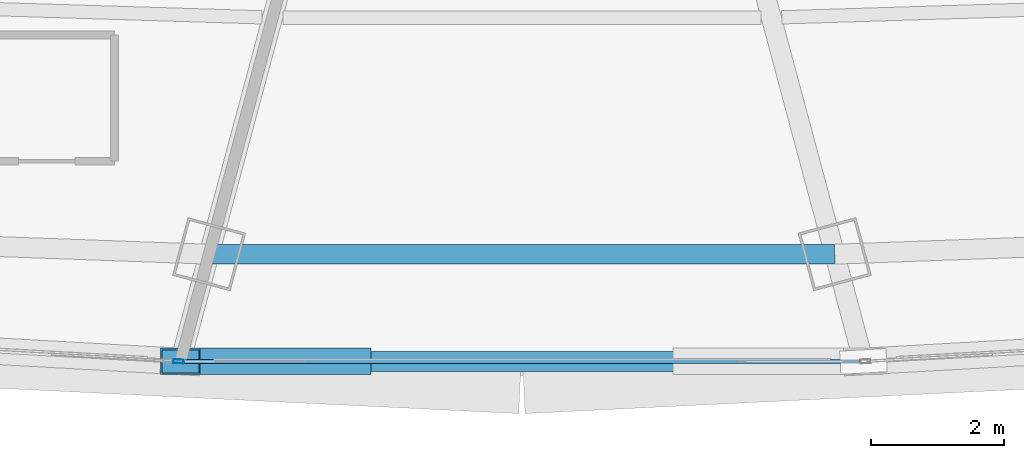
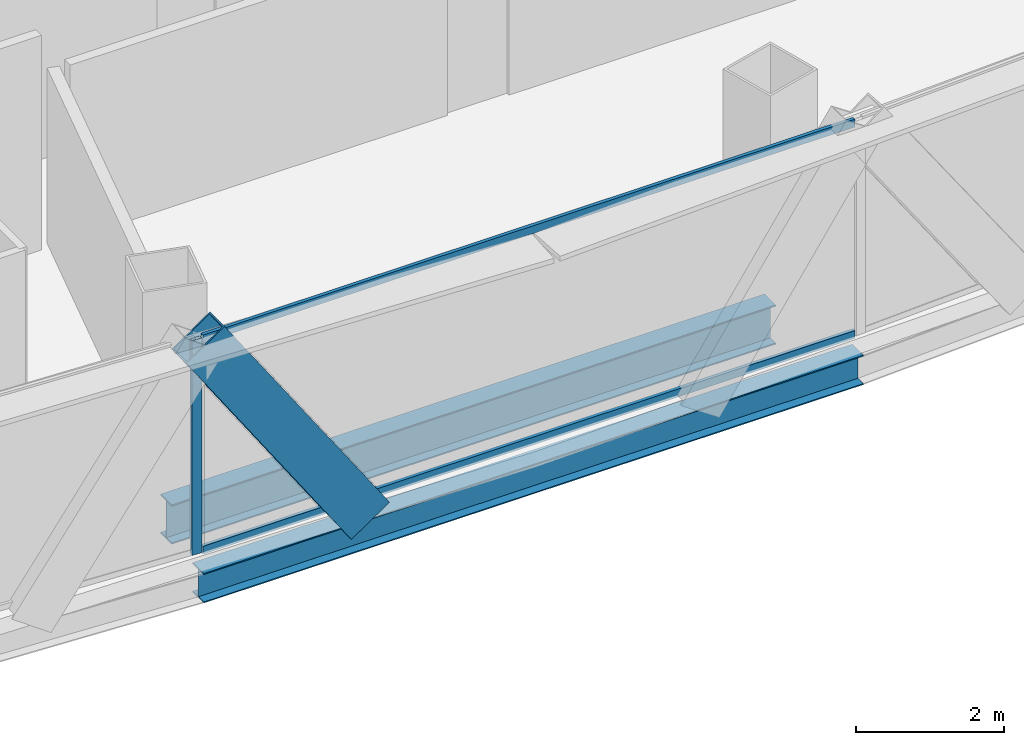
# One storey, part 10 of 38: 4 members, 2 beams, 2 elements without a shape of their own.
"""IFC4 building model written with IfcOpenShell, lengths in metres."""

from ifc_helpers import new_model, si_unit, direction, frame, origin, origin_2d, place, context, subcontext, project, spatial, hollow_rectangle, i_section, extrude, source, transform, mapped, material, layer, layer_set, material_profile, profile_set, type_object, element, aggregate, save


model = new_model("IFC4")

# Units and contexts
model_context = context("Model", 3, precision=1e-05, world=origin(), true_north=direction((0.0, 1.0)))
body_context = subcontext(model_context, "Body", "Model", "MODEL_VIEW")
ifc_project = project(units=[si_unit("LENGTHUNIT", "METRE"), si_unit("AREAUNIT", "SQUARE_METRE"), si_unit("VOLUMEUNIT", "CUBIC_METRE"), si_unit("PLANEANGLEUNIT", "RADIAN"), si_unit("MASSUNIT", "GRAM", prefix="KILO"), si_unit("THERMODYNAMICTEMPERATUREUNIT", "KELVIN"), si_unit("POWERUNIT", "WATT")], contexts=[model_context])

# Site, building, storey
site_placement = place(None, origin())
site = spatial("IfcSite", under=ifc_project, at=site_placement, CompositionType="ELEMENT")
building_placement = place(site_placement, origin())
building = spatial("IfcBuilding", under=site, at=building_placement, Name="Yunzhuo Pagoda Commons", CompositionType="ELEMENT")
storey_placement = place(building_placement, frame((0.0, 0.0, 203.760009765625)))
storey = spatial("IfcBuildingStorey", under=building, at=storey_placement, Name="L51", CompositionType="ELEMENT", Elevation=203.760009765625)

# Beams
ifc_material_1 = material(Name="Structural steel Q355B", Category="steel")
ifc_material_profile_1 = material_profile(ifc_material_1, i_section(OverallWidth=0.300048828125, OverallDepth=0.64990234375, WebThickness=0.012939453125, FlangeThickness=0.02197265625, at=origin_2d()), Name="Structural steel Q355B")
ifc_profile_set_1 = profile_set([ifc_material_profile_1], Name="Structural steel Q355B")
beam_type_1 = type_object("IfcBeamType", Name="B-RG2 Beam HN 650x300x13x22", PredefinedType="BEAM", material=ifc_profile_set_1)
shared_shape_1 = source(origin(), body_context, "Body", "SweptSolid", [
    extrude(i_section(OverallWidth=0.300048828125, OverallDepth=0.64990234375, WebThickness=0.012939453125, FlangeThickness=0.02197265625, at=origin_2d()), origin(), (0.0, 0.0, 1.0), 9.42529296875),
])
beam_1_placement = place(storey_placement, frame((43.28759765625, 16.1123046875, -0.5849609375), z_axis=(1.0, 0.0, 0.0), x_axis=(0.0, 1.0, 0.0)))
element("IfcBeam", 1, at=beam_1_placement, inside=storey, type_object=beam_type_1, Name="L51 column-ring beam 2", PredefinedType="BEAM", context=body_context, shape_type="MappedRepresentation", body=[
    mapped(shared_shape_1, transform((0.0, 0.0, 0.0), scale=1.0)),
])
ifc_material_profile_2 = material_profile(ifc_material_1, i_section(OverallWidth=0.300048828125, OverallDepth=0.488037109375, WebThickness=0.010986328125, FlangeThickness=0.01806640625, at=origin_2d()), Name="Structural steel Q355B")
ifc_profile_set_2 = profile_set([ifc_material_profile_2], Name="Structural steel Q355B")
beam_type_2 = type_object("IfcBeamType", Name="B-SP1 Beam HM 488x300x11x18", PredefinedType="BEAM", material=ifc_profile_set_2)
shared_shape_2 = source(origin(), body_context, "Body", "SweptSolid", [
    extrude(i_section(OverallWidth=0.300048828125, OverallDepth=0.488037109375, WebThickness=0.010986328125, FlangeThickness=0.01806640625, at=origin_2d()), origin(), (0.0, 0.0, 1.0), 10.291015625),
])
beam_2_placement = place(storey_placement, frame((42.8544921875, 14.496826171875, -0.503662109375), z_axis=(1.0, 0.0, 0.0), x_axis=(0.0, 1.0, 0.0)))
element("IfcBeam", 2, at=beam_2_placement, inside=storey, type_object=beam_type_2, Name="L51 facade edge spandrel beam F1.2", PredefinedType="BEAM", context=body_context, shape_type="MappedRepresentation", body=[
    mapped(shared_shape_2, transform((0.0, 0.0, 0.0), scale=1.0)),
])

# Member
ifc_material_profile_3 = material_profile(ifc_material_1, hollow_rectangle(XDim=0.39990234375, YDim=0.719970703125, WallThickness=0.02392578125, at=origin_2d()), Name="Structural steel Q355B")
ifc_profile_set_3 = profile_set([ifc_material_profile_3], Name="Structural steel Q355B")
member_type_1 = type_object("IfcMemberType", Name="M-DL2 Brace BOX 720x400x24", PredefinedType="BRACE", material=ifc_profile_set_3)
shared_shape_3 = source(origin(), body_context, "Body", "SweptSolid", [
    extrude(hollow_rectangle(XDim=0.39990234375, YDim=0.719970703125, WallThickness=0.02392578125, at=origin_2d()), origin(), (0.0, 0.0, 1.0), 4.589111328125),
])
member_1_placement = place(storey_placement, frame((45.42724609375, 14.496826171875, -0.260009765625), z_axis=(-0.560628151048, 0.0, 0.828067676131), x_axis=(0.0, -1.0, 0.0)))
element("IfcMember", 3, at=member_1_placement, inside=storey, type_object=member_type_1, Name="L51 facade diamond brace F1.2L", PredefinedType="BRACE", context=body_context, shape_type="MappedRepresentation", body=[
    mapped(shared_shape_3, transform((0.0, 0.0, 0.0), scale=1.0)),
])

# Curtain wall, member
ifc_material_2 = material(Name="Anodized aluminium 6063-T6", Category="aluminium")
ifc_layer = layer(ifc_material_2, 0.14990234375)
ifc_layer_set = layer_set([ifc_layer], Name="Anodized aluminium 6063-T6")
curtain_wall_type = type_object("IfcCurtainWallType", Name="CW-MID Mid-Zone Ribbon Curtain Wall", PredefinedType="NOTDEFINED", material=ifc_layer_set)
curtain_wall_1_placement = place(storey_placement, origin())
curtain_wall_1 = element("IfcCurtainWall", 4, at=curtain_wall_1_placement, inside=storey, type_object=curtain_wall_type, Name="L51 curtain wall CW-L51-F1B2", PredefinedType="NOTDEFINED")
ifc_material_profile_4 = material_profile(ifc_material_2, hollow_rectangle(XDim=0.06005859375, YDim=0.14990234375, WallThickness=0.00390625, at=origin_2d()), Name="Anodized aluminium 6063-T6")
ifc_profile_set_4 = profile_set([ifc_material_profile_4], Name="Anodized aluminium 6063-T6")
member_type_2 = type_object("IfcMemberType", Name="CW-MID-M Mullion RHS 150x60x4", PredefinedType="MULLION", material=ifc_profile_set_4)
shared_shape_4 = source(origin(), body_context, "Body", "SweptSolid", [
    extrude(hollow_rectangle(XDim=0.06005859375, YDim=0.14990234375, WallThickness=0.00390625, at=origin_2d()), origin(), (0.0, 0.0, 1.0), 3.5400390625),
])
member_2_placement = place(storey_placement, frame((42.824462890625, 14.49853515625, 0.0), z_axis=(0.0, 0.0, 1.0), x_axis=(0.055819443993, 0.998440879408, 0.0)))
member_2 = element("IfcMember", 5, at=member_2_placement, type_object=member_type_2, Name="CW mullion 2", PredefinedType="MULLION", context=body_context, shape_type="MappedRepresentation", body=[
    mapped(shared_shape_4, transform((0.0, 0.0, 0.0), scale=1.0)),
])
aggregate(curtain_wall_1, [member_2])

# Curtain wall, members
curtain_wall_2_placement = place(storey_placement, origin())
curtain_wall_2 = element("IfcCurtainWall", 6, at=curtain_wall_2_placement, inside=storey, type_object=curtain_wall_type, Name="L51 curtain wall CW-L51-F1B3", PredefinedType="NOTDEFINED")
ifc_material_profile_5 = material_profile(ifc_material_2, hollow_rectangle(XDim=0.054931640625, YDim=0.1298828125, WallThickness=0.00341796875, at=origin_2d()), Name="Anodized aluminium 6063-T6")
ifc_profile_set_5 = profile_set([ifc_material_profile_5], Name="Anodized aluminium 6063-T6")
member_type_3 = type_object("IfcMemberType", Name="CW-MID-T Transom RHS 130x55x3.5", PredefinedType="USERDEFINED", material=ifc_profile_set_5)
shared_shape_5 = source(origin(), body_context, "Body", "SweptSolid", [
    extrude(hollow_rectangle(XDim=0.054931640625, YDim=0.1298828125, WallThickness=0.00341796875, at=origin_2d()), origin(), (0.0, 0.0, 1.0), 10.1708984375),
])
member_3_placement = place(storey_placement, frame((42.91455078125, 14.496826171875, 0.027587890625), z_axis=(1.0, 0.0, 0.0), x_axis=(0.0, 1.0, 0.0)))
member_3 = element("IfcMember", 7, at=member_3_placement, type_object=member_type_3, Name="CW transom 1.1", ObjectType="TRANSOM", PredefinedType="USERDEFINED", context=body_context, shape_type="MappedRepresentation", body=[
    mapped(shared_shape_5, transform((0.0, 0.0, 0.0), scale=1.0)),
])
member_4_placement = place(storey_placement, frame((42.91455078125, 14.496826171875, 3.512451171875), z_axis=(1.0, 0.0, 0.0), x_axis=(0.0, 1.0, 0.0)))
member_4 = element("IfcMember", 8, at=member_4_placement, type_object=member_type_3, Name="CW transom 1.2", ObjectType="TRANSOM", PredefinedType="USERDEFINED", context=body_context, shape_type="MappedRepresentation", body=[
    mapped(shared_shape_5, transform((0.0, 0.0, 0.0), scale=1.0)),
])
aggregate(curtain_wall_2, [member_3, member_4])

save(model, "model.ifc")
